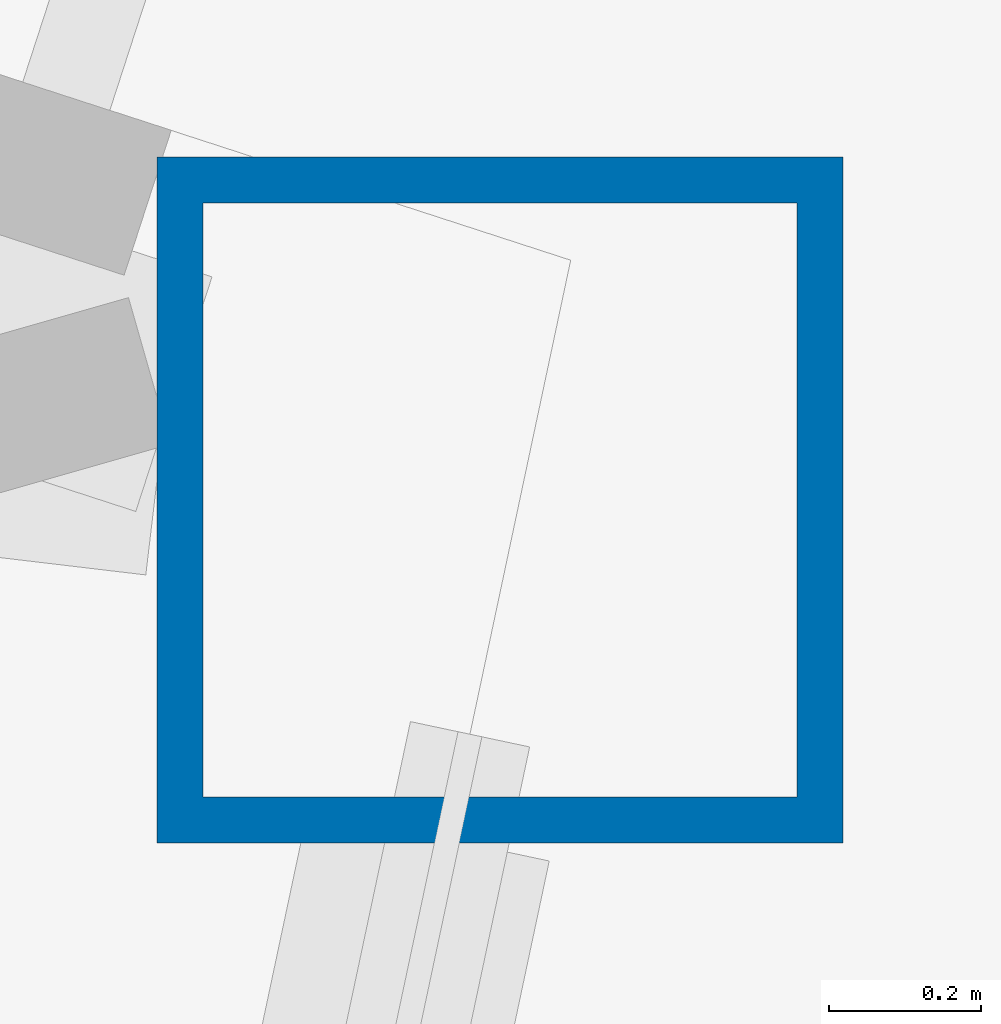
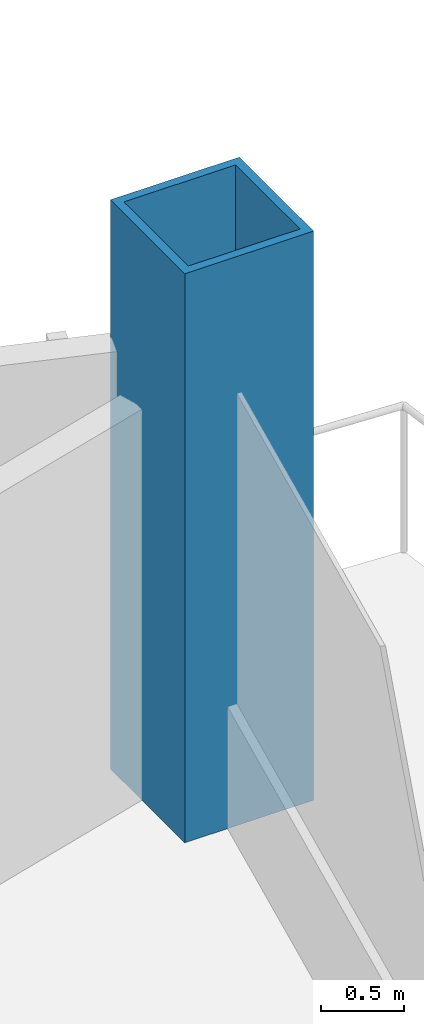
# One storey, part 2 of 21: 1 column.
"""IFC4 building model written with IfcOpenShell, lengths in metres."""

from ifc_helpers import new_model, si_unit, direction, frame, origin, origin_2d, place, context, subcontext, project, spatial, hollow_rectangle, extrude, material, material_profile, profile_set, type_object, element, save


model = new_model("IFC4")

# Units and contexts
model_context = context("Model", 3, precision=1e-05, world=origin(), true_north=direction((0.0, 1.0)))
body_context = subcontext(model_context, "Body", "Model", "MODEL_VIEW")
ifc_project = project(units=[si_unit("LENGTHUNIT", "METRE"), si_unit("AREAUNIT", "SQUARE_METRE"), si_unit("VOLUMEUNIT", "CUBIC_METRE"), si_unit("PLANEANGLEUNIT", "RADIAN"), si_unit("MASSUNIT", "GRAM", prefix="KILO")], contexts=[model_context])

# Site, building, storey
site_placement = place(None, origin())
site = spatial("IfcSite", under=ifc_project, at=site_placement, CompositionType="ELEMENT")
building_placement = place(site_placement, origin())
building = spatial("IfcBuilding", under=site, at=building_placement, Name="Cormorant Prow Tower", CompositionType="ELEMENT")
storey_placement = place(building_placement, frame((0.0, 0.0, 133.199951171875)))
storey = spatial("IfcBuildingStorey", under=building, at=storey_placement, Name="L28", CompositionType="ELEMENT", Elevation=133.199951171875)

# Column
ifc_material = material(Name="Structural steel ASTM A572 Gr 50", Category="steel")
ifc_material_profile = material_profile(ifc_material, hollow_rectangle(XDim=0.89990234375, YDim=0.89990234375, WallThickness=0.06005859375, at=origin_2d()), Name="Box 900x900x60")
ifc_profile_set = profile_set([ifc_material_profile], Name="Structural steel ASTM A572 Gr 50")
column_type = type_object("IfcColumnType", Name="Perimeter box column 900x900x60", PredefinedType="COLUMN", material=ifc_profile_set)
column_placement = place(storey_placement, frame((32.1962890625, -4.967041015625, 0.0), z_axis=(0.0, 0.0, 1.0), x_axis=(1.0, 0.0, 0.0)))
element("IfcColumn", 1, at=column_placement, inside=storey, type_object=column_type, Name="Perimeter column C3 at ENE01 L28", PredefinedType="COLUMN", context=body_context, shape_type="SweptSolid", body=[
    extrude(hollow_rectangle(XDim=0.89990234375, YDim=0.89990234375, WallThickness=0.06005859375, at=origin_2d()), origin(), (0.0, 0.0, 1.0), 4.199951171875),
])

save(model, "model.ifc")
